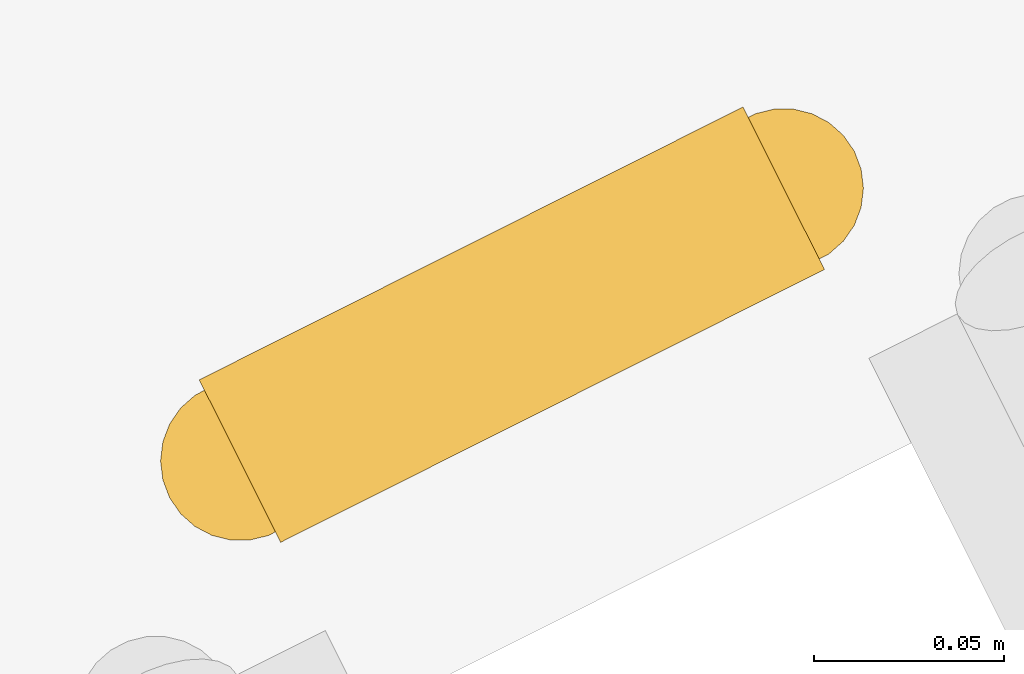
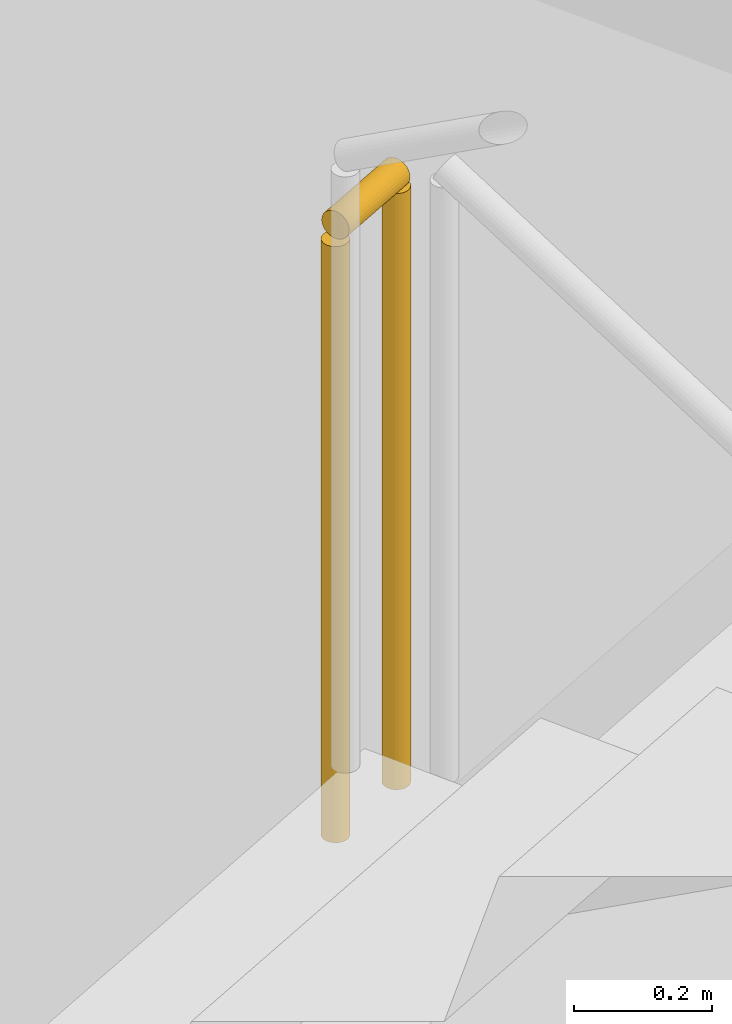
# One storey, part 153 of 179: 1 railing.
"""IFC4 building model written with IfcOpenShell, lengths in metres."""

import ifcopenshell
import ifcopenshell.guid

model = None  # the IFC model being written
_history = None  # IfcOwnerHistory: only IFC2X3 demands one
_inside = {}  # id of a spatial element -> (the spatial element, [elements in it])
_under = {}  # id of a project, library or spatial element -> (it, [spatial elements below it])
_declared = {}  # id of a project -> (the project, [libraries it declares])
_typed = {}  # id of a type object -> (the type object, [elements of that type])
_made_of = {}  # id of a material, layer set ... -> (it, [elements and type objects made of it])


def new_model(schema):
    """Start an empty IFC model of exactly this schema.

    Asked for "IFC4X3", IfcOpenShell would pick the latest addendum, in which some entities
    have other attributes; the version numbers below select the first issue.
    IFC2X3 requires an IfcOwnerHistory on every rooted entity: one is made here for all.
    """
    global model, _history
    if schema == "IFC4X3":
        model = ifcopenshell.file(schema_version=(4, 3, 0, 0))
    else:
        model = ifcopenshell.file(schema=schema)
    _inside.clear()
    _under.clear()
    _declared.clear()
    _typed.clear()
    _made_of.clear()
    _history = None
    if model.schema == "IFC2X3":
        org = make("IfcOrganization", Name="unknown")
        user = make(
            "IfcPersonAndOrganization",
            ThePerson=make("IfcPerson", FamilyName="unknown"),
            TheOrganization=org,
        )
        app = make(
            "IfcApplication",
            ApplicationDeveloper=org,
            Version="unknown",
            ApplicationFullName="unknown",
            ApplicationIdentifier="unknown",
        )
        _history = make(
            "IfcOwnerHistory",
            OwningUser=user,
            OwningApplication=app,
            ChangeAction="ADDED",
            CreationDate=0,
        )
    return model


def make(cls, **values):
    """One entity of the class cls with the attributes given. An attribute that is None is left unset."""
    return model.create_entity(
        cls, **{name: value for name, value in values.items() if value is not None}
    )


def rooted(cls, **values):
    """An entity with a GlobalId (a new one), such as an element, a storey or a relation."""
    return make(cls, GlobalId=ifcopenshell.guid.new(), OwnerHistory=_history, **values)


def si_unit(unit_type, name, prefix=None):
    """IfcSIUnit, for example si_unit("LENGTHUNIT", "METRE", prefix="MILLI")."""
    return make("IfcSIUnit", UnitType=unit_type, Prefix=prefix, Name=name)


def assignment(units):
    """IfcUnitAssignment: the units of a project."""
    return None if units is None else make("IfcUnitAssignment", Units=units)


def point(xyz):
    """IfcCartesianPoint."""
    return None if xyz is None else make("IfcCartesianPoint", Coordinates=xyz)


def direction(xyz):
    """IfcDirection."""
    return None if xyz is None else make("IfcDirection", DirectionRatios=xyz)


def frame(location, z_axis=None, x_axis=None):
    """IfcAxis2Placement3D, a coordinate frame: its origin and axes. An axis left out is left unset."""
    return make(
        "IfcAxis2Placement3D",
        Location=point(location),
        Axis=direction(z_axis),
        RefDirection=direction(x_axis),
    )


def frame_2d(location, x_axis=None):
    """IfcAxis2Placement2D, a coordinate frame in the plane: its origin and x axis."""
    return make(
        "IfcAxis2Placement2D", Location=point(location), RefDirection=direction(x_axis)
    )


def origin():
    """The frame at (0, 0, 0) with its axes left unset."""
    return frame((0.0, 0.0, 0.0))


def origin_2d():
    """The frame at (0, 0) in the plane with its x axis left unset."""
    return frame_2d((0.0, 0.0))


def place(relative_to, where):
    """IfcLocalPlacement: puts the frame where relative to a parent placement (None: the world)."""
    return make(
        "IfcLocalPlacement", PlacementRelTo=relative_to, RelativePlacement=where
    )


def context(
    kind, dimensions, precision=None, world=None, true_north=None, identifier=None
):
    """IfcGeometricRepresentationContext, for example the 3D "Model" context."""
    return make(
        "IfcGeometricRepresentationContext",
        ContextIdentifier=identifier,
        ContextType=kind,
        CoordinateSpaceDimension=dimensions,
        Precision=precision,
        WorldCoordinateSystem=world,
        TrueNorth=true_north,
    )


def subcontext(parent, identifier, kind, view, scale=None):
    """IfcGeometricRepresentationSubContext, for example "Body" below "Model"."""
    return make(
        "IfcGeometricRepresentationSubContext",
        ContextIdentifier=identifier,
        ContextType=kind,
        ParentContext=parent,
        TargetScale=scale,
        TargetView=view,
    )


def project(units=None, contexts=None):
    """IfcProject with its units and contexts."""
    return rooted(
        "IfcProject",
        Name="project",
        RepresentationContexts=contexts,
        UnitsInContext=assignment(units),
    )


def spatial(cls, under=None, at=None, **own):
    """A site, building, storey or space (cls), placed at a placement, below another one or the project."""
    s = rooted(cls, ObjectPlacement=at, **own)
    if under is not None:
        _under.setdefault(under.id(), (under, []))[1].append(s)
    return s


def profile(cls, at=None, kind="AREA", **sizes):
    """A parametric profile (cls). Its sizes go by their IFC names, for example OverallWidth=200.0."""
    return make(cls, ProfileType=kind, Position=at, **sizes)


def circle(**sizes):
    """IfcCircleProfileDef."""
    return profile("IfcCircleProfileDef", **sizes)


def extrude(swept, where, along, depth):
    """IfcExtrudedAreaSolid: the profile swept, set in the frame where, extruded along a direction by depth."""
    return make(
        "IfcExtrudedAreaSolid",
        SweptArea=swept,
        Position=where,
        ExtrudedDirection=direction(along),
        Depth=depth,
    )


def shape(context_of_items, identifier, shape_type, items):
    """IfcShapeRepresentation: the items that make up one representation, for example the "Body"."""
    return make(
        "IfcShapeRepresentation",
        ContextOfItems=context_of_items,
        RepresentationIdentifier=identifier,
        RepresentationType=shape_type,
        Items=items,
    )


def material(Name=None, Category=None):
    """IfcMaterial."""
    return make("IfcMaterial", Name=Name, Category=Category)


def made_of(thing, what):
    """Note that an element or type object is made of a material, layer set ...; save() writes the relation."""
    if what is not None:
        _made_of.setdefault(what.id(), (what, []))[1].append(thing)
    return thing


def type_object(cls, material=None, **own):
    """A type object (cls), such as IfcWallType, which elements share."""
    return made_of(rooted(cls, **own), material)


def element(
    cls,
    number,
    at=None,
    inside=None,
    cuts=None,
    type_object=None,
    material=None,
    context=None,
    identifier="Body",
    shape_type=None,
    held_by="IfcProductDefinitionShape",
    body=None,
    shapes=None,
    **own,
):
    """One element of the class cls, such as IfcWall. Its Tag is "e" and its number.

    at: its placement. inside: the storey or other place that contains it. cuts: it is an
    opening in that element (IfcRelVoidsElement). A single representation is given by context,
    identifier, shape_type and body (its items); several are given by shapes. held_by: the class
    of the entity that holds the representations. save() writes the other relations.
    """
    e = rooted(cls, Tag="e%d" % number, ObjectPlacement=at, **own)
    if body is not None:
        shapes = [shape(context, identifier, shape_type, body)]
    if shapes is not None:
        e.Representation = make(held_by, Representations=shapes)
    if inside is not None:
        _inside.setdefault(inside.id(), (inside, []))[1].append(e)
    if cuts is not None:
        rooted(
            "IfcRelVoidsElement", RelatingBuildingElement=cuts, RelatedOpeningElement=e
        )
    if type_object is not None:
        _typed.setdefault(type_object.id(), (type_object, []))[1].append(e)
    return made_of(e, material)


def aggregate(whole, parts):
    """IfcRelAggregates: a whole, such as a stair, and the parts it consists of."""
    return rooted("IfcRelAggregates", RelatingObject=whole, RelatedObjects=parts)


def save(model, path):
    """Write the relations noted so far, then the file.

    IfcRelAggregates (storeys below a building ...), IfcRelContainedInSpatialStructure (elements
    in a storey), IfcRelDefinesByType, IfcRelAssociatesMaterial and IfcRelDeclares: one each for
    every whole, place, type object, material and project.
    """
    for whole, parts in _under.values():
        aggregate(whole, parts)
    for where, things in _inside.values():
        rooted(
            "IfcRelContainedInSpatialStructure",
            RelatedElements=things,
            RelatingStructure=where,
        )
    for kind, things in _typed.values():
        rooted("IfcRelDefinesByType", RelatedObjects=things, RelatingType=kind)
    for what, things in _made_of.values():
        rooted("IfcRelAssociatesMaterial", RelatedObjects=things, RelatingMaterial=what)
    for by, libraries in _declared.values():
        rooted("IfcRelDeclares", RelatingContext=by, RelatedDefinitions=libraries)
    model.write(path)


model = new_model("IFC4")

# Units and contexts
model_context = context("Model", 3, precision=1e-05, world=origin(), true_north=direction((0.0, 1.0)))
body_context = subcontext(model_context, "Body", "Model", "MODEL_VIEW")
ifc_project = project(units=[si_unit("LENGTHUNIT", "METRE"), si_unit("AREAUNIT", "SQUARE_METRE"), si_unit("VOLUMEUNIT", "CUBIC_METRE"), si_unit("PLANEANGLEUNIT", "RADIAN"), si_unit("MASSUNIT", "GRAM", prefix="KILO")], contexts=[model_context])

# Site, building, storey
site_placement = place(None, origin())
site = spatial("IfcSite", under=ifc_project, at=site_placement, CompositionType="ELEMENT")
building_placement = place(site_placement, origin())
building = spatial("IfcBuilding", under=site, at=building_placement, Name="Zevraka Park Crest Stadium", CompositionType="ELEMENT")
storey_placement = place(building_placement, frame((0.0, 0.0, 10.199951171875)))
storey = spatial("IfcBuildingStorey", under=building, at=storey_placement, Name="L02", CompositionType="ELEMENT", Elevation=10.199951171875)

# Railing
ifc_material = material(Name="Powder-coated tubular steel stairwell guard", Category="steel")
railing_type = type_object("IfcRailingType", Name="GR03", PredefinedType="GUARDRAIL", material=ifc_material)
railing_placement = place(storey_placement, frame((190.50341796875, 120.980712890625, 2.400146484375)))
element("IfcRailing", 1, at=railing_placement, inside=storey, type_object=railing_type, Name="L02 ST02 stair guard 2", PredefinedType="GUARDRAIL", context=body_context, shape_type="SweptSolid", body=[
    extrude(circle(Radius=0.02392578125, at=origin_2d()), frame((0.0, 0.0, 1.076171875), z_axis=(-0.893816245171, -0.44843340628, 0.0), x_axis=(0.44843340628, -0.893816245171, 0.0)), (0.0, 0.0, 1.0), 0.16015625),
    extrude(circle(Radius=0.02099609375, at=origin_2d()), origin(), (0.0, 0.0, 1.0), 1.052001953125),
    extrude(circle(Radius=0.02099609375, at=origin_2d()), frame((-0.14306640625, -0.07177734375, 0.0)), (0.0, 0.0, 1.0), 1.052001953125),
])

save(model, "model.ifc")
